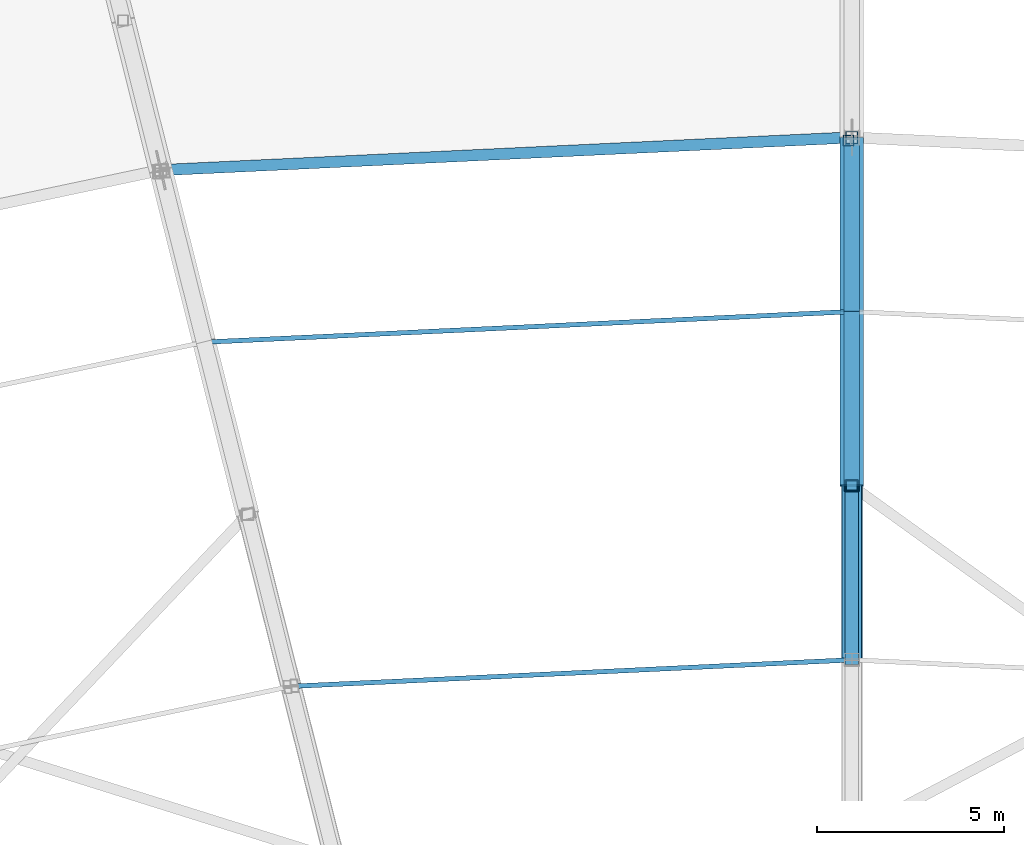
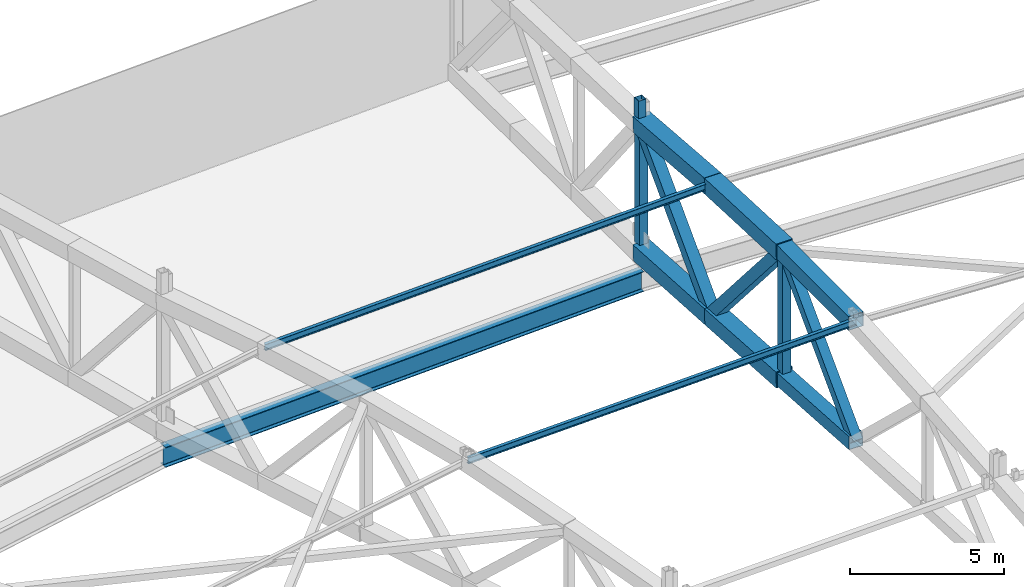
# One storey, part 77 of 162: 14 members, 1 beam.
"""IFC4 building model written with IfcOpenShell, lengths in metres."""

from ifc_helpers import new_model, si_unit, direction, frame, origin, origin_2d, place, context, subcontext, project, spatial, hollow_rectangle, i_section, extrude, material, material_profile, profile_set, type_object, element, save


model = new_model("IFC4")

# Units and contexts
model_context = context("Model", 3, precision=1e-05, world=origin(), true_north=direction((0.0, 1.0)))
body_context = subcontext(model_context, "Body", "Model", "MODEL_VIEW")
ifc_project = project(units=[si_unit("LENGTHUNIT", "METRE"), si_unit("AREAUNIT", "SQUARE_METRE"), si_unit("VOLUMEUNIT", "CUBIC_METRE"), si_unit("PLANEANGLEUNIT", "RADIAN"), si_unit("MASSUNIT", "GRAM", prefix="KILO")], contexts=[model_context])

# Site, building, storey
site_placement = place(None, origin())
site = spatial("IfcSite", under=ifc_project, at=site_placement, CompositionType="ELEMENT")
building_placement = place(site_placement, origin())
building = spatial("IfcBuilding", under=site, at=building_placement, Name="Kazemori Nagisa Stadium", CompositionType="ELEMENT")
storey_placement = place(building_placement, frame((0.0, 0.0, 36.719970703125)))
storey = spatial("IfcBuildingStorey", under=building, at=storey_placement, Name="RF", CompositionType="ELEMENT", Elevation=36.719970703125)

# Beam
ifc_material_1 = material(Name="Steel SN490B", Category="steel")
ifc_material_profile_1 = material_profile(ifc_material_1, i_section(OverallWidth=0.300048828125, OverallDepth=0.800048828125, WebThickness=0.013916015625, FlangeThickness=0.02587890625, FilletRadius=0.01806640625, at=origin_2d()), Name="H-800x300x14x26")
ifc_profile_set_1 = profile_set([ifc_material_profile_1], Name="Steel SN490B")
beam_type = type_object("IfcBeamType", Name="Beam_BG-H800", PredefinedType="BEAM", material=ifc_profile_set_1)
beam_placement = place(storey_placement, frame((123.0, 175.9599609375, -0.679931640625), z_axis=(-0.9988839804, -0.047231278829, 0.0), x_axis=(0.047231278829, -0.9988839804, 0.0)))
element("IfcBeam", 1, at=beam_placement, inside=storey, type_object=beam_type, Name="Ring girder BG-H800 RF R2-08", PredefinedType="BEAM", context=body_context, shape_type="SweptSolid", body=[
    extrude(i_section(OverallWidth=0.300048828125, OverallDepth=0.800048828125, WebThickness=0.013916015625, FlangeThickness=0.02587890625, FilletRadius=0.01806640625, at=origin_2d()), origin(), (0.0, 0.0, 1.0), 18.4482421875),
])

# Members
ifc_material_2 = material(Name="Steel STKR490", Category="steel")
ifc_material_profile_2 = material_profile(ifc_material_2, hollow_rectangle(XDim=0.280029296875, YDim=0.280029296875, WallThickness=0.010009765625, at=origin_2d()), Name="SHS-280x280x10")
ifc_profile_set_2 = profile_set([ifc_material_profile_2], Name="Steel STKR490")
member_type_1 = type_object("IfcMemberType", Name="Member_ST-SHS280", PredefinedType="STUD", material=ifc_profile_set_2)
member_1_placement = place(storey_placement, frame((122.909912109375, 175.880615234375, 5.56005859375), z_axis=(0.0, 0.0, 1.0), x_axis=(1.0, 0.0, 0.0)))
element("IfcMember", 2, at=member_1_placement, inside=storey, type_object=member_type_1, Name="Canopy bearing stool B08-mid-1", PredefinedType="STUD", context=body_context, shape_type="SweptSolid", body=[
    extrude(hollow_rectangle(XDim=0.280029296875, YDim=0.280029296875, WallThickness=0.010009765625, at=origin_2d()), origin(), (0.0, 0.0, 1.0), 1.02099609375),
])
ifc_material_profile_3 = material_profile(ifc_material_2, hollow_rectangle(XDim=0.360107421875, YDim=0.360107421875, WallThickness=0.013916015625, at=origin_2d()), Name="SHS-360x360x14")
ifc_profile_set_3 = profile_set([ifc_material_profile_3], Name="Steel STKR490")
member_type_2 = type_object("IfcMemberType", Name="Member_TB-SHS360", PredefinedType="BRACE", material=ifc_profile_set_3)
member_2_placement = place(storey_placement, frame((123.0, 166.672119140625, 6.130126953125), z_axis=(0.0, -0.697582004581, -0.71650495245), x_axis=(1.0, 0.0, 0.0)))
element("IfcMember", 3, at=member_2_placement, inside=storey, type_object=member_type_2, Name="Roof space truss diagonal RT-08-6", PredefinedType="BRACE", context=body_context, shape_type="SweptSolid", body=[
    extrude(hollow_rectangle(XDim=0.360107421875, YDim=0.360107421875, WallThickness=0.013916015625, at=origin_2d()), origin(), (0.0, 0.0, 1.0), 6.6572265625),
])
ifc_material_profile_4 = material_profile(ifc_material_2, hollow_rectangle(XDim=0.419921875, YDim=0.419921875, WallThickness=0.01611328125, at=origin_2d()), Name="SHS-420x420x16")
ifc_profile_set_4 = profile_set([ifc_material_profile_4], Name="Steel STKR490")
member_type_3 = type_object("IfcMemberType", Name="Member_TB-SHS420", PredefinedType="BRACE", material=ifc_profile_set_4)
member_3_placement = place(storey_placement, frame((123.0, 175.9599609375, 5.56005859375), z_axis=(0.0, -0.69533130382, -0.718689347304), x_axis=(1.0, 0.0, 0.0)))
element("IfcMember", 4, at=member_3_placement, inside=storey, type_object=member_type_3, Name="Roof space truss diagonal RT-08-4", PredefinedType="BRACE", context=body_context, shape_type="SweptSolid", body=[
    extrude(hollow_rectangle(XDim=0.419921875, YDim=0.419921875, WallThickness=0.01611328125, at=origin_2d()), origin(), (0.0, 0.0, 1.0), 6.678955078125),
])
member_4_placement = place(storey_placement, frame((123.0, 171.31591796875, 0.760009765625), z_axis=(0.0, -0.654101419495, 0.756406856801), x_axis=(1.0, 0.0, 0.0)))
element("IfcMember", 5, at=member_4_placement, inside=storey, type_object=member_type_3, Name="Roof space truss diagonal RT-08-5", PredefinedType="BRACE", context=body_context, shape_type="SweptSolid", body=[
    extrude(hollow_rectangle(XDim=0.419921875, YDim=0.419921875, WallThickness=0.01611328125, at=origin_2d()), origin(), (0.0, 0.0, 1.0), 7.099609375),
])
ifc_material_profile_5 = material_profile(ifc_material_2, hollow_rectangle(XDim=0.52001953125, YDim=0.52001953125, WallThickness=0.01904296875, at=origin_2d()), Name="SHS-520x520x19")
ifc_profile_set_5 = profile_set([ifc_material_profile_5], Name="Steel STKR490")
member_type_4 = type_object("IfcMemberType", Name="Member_TC-SHS520", PredefinedType="CHORD", material=ifc_profile_set_5)
member_5_placement = place(storey_placement, frame((123.0, 166.672119140625, 1.06005859375), z_axis=(0.0, -0.997919324616, 0.064474968455), x_axis=(1.0, 0.0, 0.0)))
element("IfcMember", 6, at=member_5_placement, inside=storey, type_object=member_type_4, Name="Roof space truss bottom chord RT-08-6", PredefinedType="CHORD", context=body_context, shape_type="SweptSolid", body=[
    extrude(hollow_rectangle(XDim=0.52001953125, YDim=0.52001953125, WallThickness=0.01904296875, at=origin_2d()), origin(), (0.0, 0.0, 1.0), 4.65380859375),
])
ifc_material_profile_6 = material_profile(ifc_material_2, hollow_rectangle(XDim=0.56005859375, YDim=0.56005859375, WallThickness=0.02001953125, at=origin_2d()), Name="SHS-560x560x20")
ifc_profile_set_6 = profile_set([ifc_material_profile_6], Name="Steel STKR490")
member_type_5 = type_object("IfcMemberType", Name="Member_TC-SHS560", PredefinedType="CHORD", material=ifc_profile_set_6)
member_6_placement = place(storey_placement, frame((123.0, 166.672119140625, 6.130126953125), z_axis=(0.0, -0.999985340386, -0.005414703504), x_axis=(1.0, 0.0, 0.0)))
element("IfcMember", 7, at=member_6_placement, inside=storey, type_object=member_type_5, Name="Roof space truss top chord RT-08-6", PredefinedType="CHORD", context=body_context, shape_type="SweptSolid", body=[
    extrude(hollow_rectangle(XDim=0.56005859375, YDim=0.56005859375, WallThickness=0.02001953125, at=origin_2d()), origin(), (0.0, 0.0, 1.0), 4.64404296875),
])
ifc_material_profile_7 = material_profile(ifc_material_2, hollow_rectangle(XDim=0.6201171875, YDim=0.6201171875, WallThickness=0.02197265625, at=origin_2d()), Name="SHS-620x620x22")
ifc_profile_set_7 = profile_set([ifc_material_profile_7], Name="Steel STKR490")
member_type_6 = type_object("IfcMemberType", Name="Member_TC-SHS620", PredefinedType="CHORD", material=ifc_profile_set_7)
member_7_placement = place(storey_placement, frame((123.0, 175.9599609375, 5.56005859375), z_axis=(0.0, -0.996843376654, 0.079393213943), x_axis=(1.0, 0.0, 0.0)))
element("IfcMember", 8, at=member_7_placement, inside=storey, type_object=member_type_6, Name="Roof space truss top chord RT-08-4", PredefinedType="CHORD", context=body_context, shape_type="SweptSolid", body=[
    extrude(hollow_rectangle(XDim=0.6201171875, YDim=0.6201171875, WallThickness=0.02197265625, at=origin_2d()), origin(), (0.0, 0.0, 1.0), 4.65869140625),
])
member_8_placement = place(storey_placement, frame((123.0, 175.9599609375, 0.47998046875), z_axis=(0.0, -0.99818698182, 0.060189279158), x_axis=(1.0, 0.0, 0.0)))
element("IfcMember", 9, at=member_8_placement, inside=storey, type_object=member_type_6, Name="Roof space truss bottom chord RT-08-4", PredefinedType="CHORD", context=body_context, shape_type="SweptSolid", body=[
    extrude(hollow_rectangle(XDim=0.6201171875, YDim=0.6201171875, WallThickness=0.02197265625, at=origin_2d()), origin(), (0.0, 0.0, 1.0), 4.652587890625),
])
member_9_placement = place(storey_placement, frame((123.0, 171.31591796875, 5.929931640625), z_axis=(0.0, -0.999072046567, 0.043070242268), x_axis=(1.0, 0.0, 0.0)))
element("IfcMember", 10, at=member_9_placement, inside=storey, type_object=member_type_6, Name="Roof space truss top chord RT-08-5", PredefinedType="CHORD", context=body_context, shape_type="SweptSolid", body=[
    extrude(hollow_rectangle(XDim=0.6201171875, YDim=0.6201171875, WallThickness=0.02197265625, at=origin_2d()), origin(), (0.0, 0.0, 1.0), 4.648193359375),
])
member_10_placement = place(storey_placement, frame((123.0, 171.31591796875, 0.760009765625), z_axis=(0.0, -0.997919106516, 0.064478344036), x_axis=(1.0, 0.0, 0.0)))
element("IfcMember", 11, at=member_10_placement, inside=storey, type_object=member_type_6, Name="Roof space truss bottom chord RT-08-5", PredefinedType="CHORD", context=body_context, shape_type="SweptSolid", body=[
    extrude(hollow_rectangle(XDim=0.6201171875, YDim=0.6201171875, WallThickness=0.02197265625, at=origin_2d()), origin(), (0.0, 0.0, 1.0), 4.653564453125),
])
ifc_material_profile_8 = material_profile(ifc_material_1, i_section(OverallWidth=0.125, OverallDepth=0.25, WebThickness=0.006103515625, FlangeThickness=0.009033203125, FilletRadius=0.008056640625, at=origin_2d()), Name="H-250x125x6x9")
ifc_profile_set_8 = profile_set([ifc_material_profile_8], Name="Steel SN490B")
member_type_7 = type_object("IfcMemberType", Name="Member_TP-H250", PredefinedType="PURLIN", material=ifc_profile_set_8)
member_11_placement = place(storey_placement, frame((123.0, 171.31591796875, 5.929931640625), z_axis=(-0.998876397038, -0.047232037264, 0.003883052391), x_axis=(0.047232393353, -0.9988839277, 0.0)))
element("IfcMember", 12, at=member_11_placement, inside=storey, type_object=member_type_7, Name="Roof purlin TP-H250 B08-P4", PredefinedType="PURLIN", context=body_context, shape_type="SweptSolid", body=[
    extrude(i_section(OverallWidth=0.125, OverallDepth=0.25, WebThickness=0.006103515625, FlangeThickness=0.009033203125, FilletRadius=0.008056640625, at=origin_2d()), origin(), (0.0, 0.0, 1.0), 17.290283203125),
])
member_12_placement = place(storey_placement, frame((123.0, 162.028076171875, 6.10498046875), z_axis=(-0.998825927531, -0.047233174106, 0.010760750745), x_axis=(0.047235908996, -0.998883761456, 0.0)))
element("IfcMember", 13, at=member_12_placement, inside=storey, type_object=member_type_7, Name="Roof purlin TP-H250 B08-P6", PredefinedType="PURLIN", context=body_context, shape_type="SweptSolid", body=[
    extrude(i_section(OverallWidth=0.125, OverallDepth=0.25, WebThickness=0.006103515625, FlangeThickness=0.009033203125, FilletRadius=0.008056640625, at=origin_2d()), origin(), (0.0, 0.0, 1.0), 14.97412109375),
])
ifc_material_profile_9 = material_profile(ifc_material_2, hollow_rectangle(XDim=0.320068359375, YDim=0.320068359375, WallThickness=0.011962890625, at=origin_2d()), Name="SHS-320x320x12")
ifc_profile_set_9 = profile_set([ifc_material_profile_9], Name="Steel STKR490")
member_type_8 = type_object("IfcMemberType", Name="Member_TS-SHS320", PredefinedType="STRUT", material=ifc_profile_set_9)
member_13_placement = place(storey_placement, frame((123.0, 175.9599609375, 0.47998046875), z_axis=(0.0, 0.0, 1.0), x_axis=(1.0, 0.0, 0.0)))
element("IfcMember", 14, at=member_13_placement, inside=storey, type_object=member_type_8, Name="Roof space truss strut RT-08-4", PredefinedType="STRUT", context=body_context, shape_type="SweptSolid", body=[
    extrude(hollow_rectangle(XDim=0.320068359375, YDim=0.320068359375, WallThickness=0.011962890625, at=origin_2d()), origin(), (0.0, 0.0, 1.0), 5.080078125),
])
member_14_placement = place(storey_placement, frame((123.0, 166.672119140625, 1.06005859375), z_axis=(0.0, 0.0, 1.0), x_axis=(1.0, 0.0, 0.0)))
element("IfcMember", 15, at=member_14_placement, inside=storey, type_object=member_type_8, Name="Roof space truss strut RT-08-6", PredefinedType="STRUT", context=body_context, shape_type="SweptSolid", body=[
    extrude(hollow_rectangle(XDim=0.320068359375, YDim=0.320068359375, WallThickness=0.011962890625, at=origin_2d()), origin(), (0.0, 0.0, 1.0), 5.070068359375),
])

save(model, "model.ifc")
